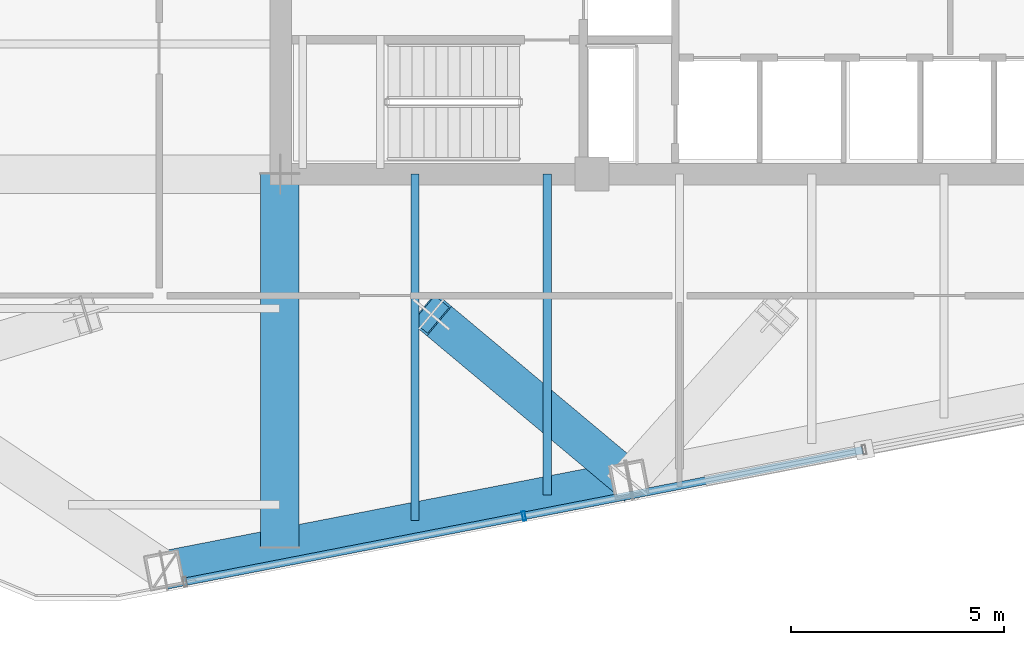
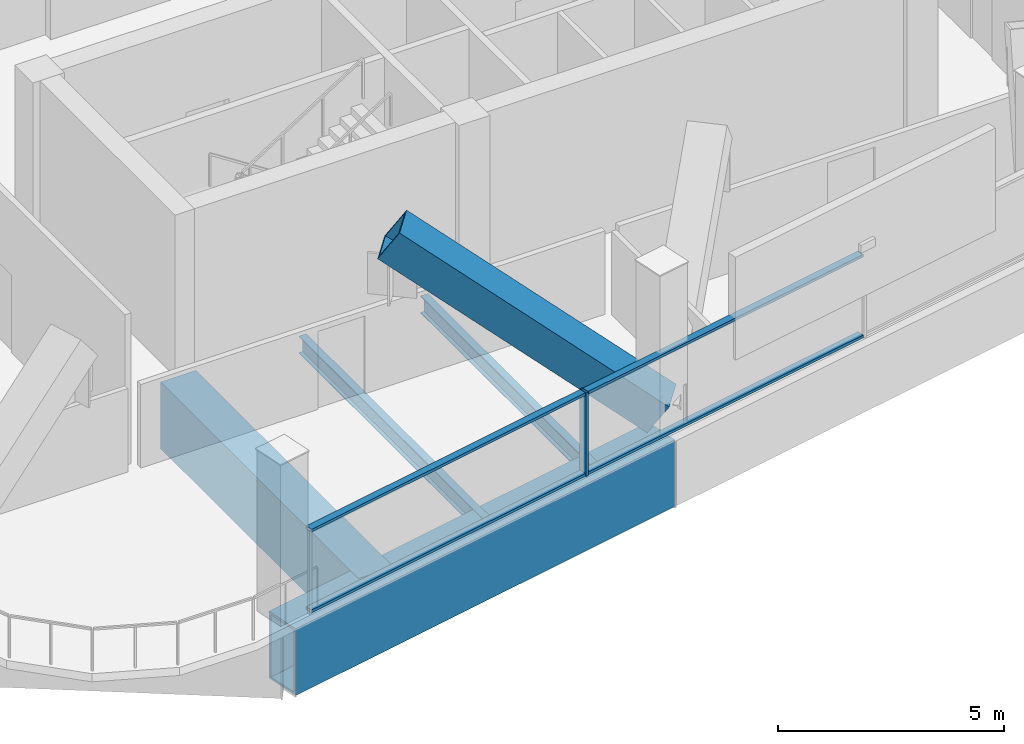
# One storey, part 3 of 26: 6 members, 4 beams, 1 element without a shape of its own.
"""IFC4 building model written with IfcOpenShell, lengths in metres."""

import ifcopenshell
import ifcopenshell.guid

model = None  # the IFC model being written
_history = None  # IfcOwnerHistory: only IFC2X3 demands one
_inside = {}  # id of a spatial element -> (the spatial element, [elements in it])
_under = {}  # id of a project, library or spatial element -> (it, [spatial elements below it])
_declared = {}  # id of a project -> (the project, [libraries it declares])
_typed = {}  # id of a type object -> (the type object, [elements of that type])
_made_of = {}  # id of a material, layer set ... -> (it, [elements and type objects made of it])


def new_model(schema):
    """Start an empty IFC model of exactly this schema.

    Asked for "IFC4X3", IfcOpenShell would pick the latest addendum, in which some entities
    have other attributes; the version numbers below select the first issue.
    IFC2X3 requires an IfcOwnerHistory on every rooted entity: one is made here for all.
    """
    global model, _history
    if schema == "IFC4X3":
        model = ifcopenshell.file(schema_version=(4, 3, 0, 0))
    else:
        model = ifcopenshell.file(schema=schema)
    _inside.clear()
    _under.clear()
    _declared.clear()
    _typed.clear()
    _made_of.clear()
    _history = None
    if model.schema == "IFC2X3":
        org = make("IfcOrganization", Name="unknown")
        user = make(
            "IfcPersonAndOrganization",
            ThePerson=make("IfcPerson", FamilyName="unknown"),
            TheOrganization=org,
        )
        app = make(
            "IfcApplication",
            ApplicationDeveloper=org,
            Version="unknown",
            ApplicationFullName="unknown",
            ApplicationIdentifier="unknown",
        )
        _history = make(
            "IfcOwnerHistory",
            OwningUser=user,
            OwningApplication=app,
            ChangeAction="ADDED",
            CreationDate=0,
        )
    return model


def make(cls, **values):
    """One entity of the class cls with the attributes given. An attribute that is None is left unset."""
    return model.create_entity(
        cls, **{name: value for name, value in values.items() if value is not None}
    )


def rooted(cls, **values):
    """An entity with a GlobalId (a new one), such as an element, a storey or a relation."""
    return make(cls, GlobalId=ifcopenshell.guid.new(), OwnerHistory=_history, **values)


def si_unit(unit_type, name, prefix=None):
    """IfcSIUnit, for example si_unit("LENGTHUNIT", "METRE", prefix="MILLI")."""
    return make("IfcSIUnit", UnitType=unit_type, Prefix=prefix, Name=name)


def assignment(units):
    """IfcUnitAssignment: the units of a project."""
    return None if units is None else make("IfcUnitAssignment", Units=units)


def point(xyz):
    """IfcCartesianPoint."""
    return None if xyz is None else make("IfcCartesianPoint", Coordinates=xyz)


def direction(xyz):
    """IfcDirection."""
    return None if xyz is None else make("IfcDirection", DirectionRatios=xyz)


def frame(location, z_axis=None, x_axis=None):
    """IfcAxis2Placement3D, a coordinate frame: its origin and axes. An axis left out is left unset."""
    return make(
        "IfcAxis2Placement3D",
        Location=point(location),
        Axis=direction(z_axis),
        RefDirection=direction(x_axis),
    )


def frame_2d(location, x_axis=None):
    """IfcAxis2Placement2D, a coordinate frame in the plane: its origin and x axis."""
    return make(
        "IfcAxis2Placement2D", Location=point(location), RefDirection=direction(x_axis)
    )


def origin():
    """The frame at (0, 0, 0) with its axes left unset."""
    return frame((0.0, 0.0, 0.0))


def origin_2d():
    """The frame at (0, 0) in the plane with its x axis left unset."""
    return frame_2d((0.0, 0.0))


def place(relative_to, where):
    """IfcLocalPlacement: puts the frame where relative to a parent placement (None: the world)."""
    return make(
        "IfcLocalPlacement", PlacementRelTo=relative_to, RelativePlacement=where
    )


def context(
    kind, dimensions, precision=None, world=None, true_north=None, identifier=None
):
    """IfcGeometricRepresentationContext, for example the 3D "Model" context."""
    return make(
        "IfcGeometricRepresentationContext",
        ContextIdentifier=identifier,
        ContextType=kind,
        CoordinateSpaceDimension=dimensions,
        Precision=precision,
        WorldCoordinateSystem=world,
        TrueNorth=true_north,
    )


def subcontext(parent, identifier, kind, view, scale=None):
    """IfcGeometricRepresentationSubContext, for example "Body" below "Model"."""
    return make(
        "IfcGeometricRepresentationSubContext",
        ContextIdentifier=identifier,
        ContextType=kind,
        ParentContext=parent,
        TargetScale=scale,
        TargetView=view,
    )


def project(units=None, contexts=None):
    """IfcProject with its units and contexts."""
    return rooted(
        "IfcProject",
        Name="project",
        RepresentationContexts=contexts,
        UnitsInContext=assignment(units),
    )


def spatial(cls, under=None, at=None, **own):
    """A site, building, storey or space (cls), placed at a placement, below another one or the project."""
    s = rooted(cls, ObjectPlacement=at, **own)
    if under is not None:
        _under.setdefault(under.id(), (under, []))[1].append(s)
    return s


def profile(cls, at=None, kind="AREA", **sizes):
    """A parametric profile (cls). Its sizes go by their IFC names, for example OverallWidth=200.0."""
    return make(cls, ProfileType=kind, Position=at, **sizes)


def hollow_rectangle(**sizes):
    """IfcRectangleHollowProfileDef."""
    return profile("IfcRectangleHollowProfileDef", **sizes)


def i_section(**sizes):
    """IfcIShapeProfileDef."""
    return profile("IfcIShapeProfileDef", **sizes)


def extrude(swept, where, along, depth):
    """IfcExtrudedAreaSolid: the profile swept, set in the frame where, extruded along a direction by depth."""
    return make(
        "IfcExtrudedAreaSolid",
        SweptArea=swept,
        Position=where,
        ExtrudedDirection=direction(along),
        Depth=depth,
    )


def shape(context_of_items, identifier, shape_type, items):
    """IfcShapeRepresentation: the items that make up one representation, for example the "Body"."""
    return make(
        "IfcShapeRepresentation",
        ContextOfItems=context_of_items,
        RepresentationIdentifier=identifier,
        RepresentationType=shape_type,
        Items=items,
    )


def material(Name=None, Category=None):
    """IfcMaterial."""
    return make("IfcMaterial", Name=Name, Category=Category)


def layer(
    of_material, thickness, ventilated=None, Name=None, Category=None, Priority=None
):
    """IfcMaterialLayer: one layer of a wall or slab, of a material (None: an air gap)."""
    return make(
        "IfcMaterialLayer",
        Material=of_material,
        LayerThickness=thickness,
        IsVentilated=ventilated,
        Name=Name,
        Category=Category,
        Priority=Priority,
    )


def layer_set(layers, Name=None):
    """IfcMaterialLayerSet."""
    return make("IfcMaterialLayerSet", MaterialLayers=layers, LayerSetName=Name)


def material_profile(
    of_material, cross_section, Name=None, Category=None, Priority=None
):
    """IfcMaterialProfile: a cross section and its material."""
    return make(
        "IfcMaterialProfile",
        Name=Name,
        Material=of_material,
        Profile=cross_section,
        Priority=Priority,
        Category=Category,
    )


def profile_set(profiles, Name=None, composite=None):
    """IfcMaterialProfileSet."""
    return make(
        "IfcMaterialProfileSet",
        Name=Name,
        MaterialProfiles=profiles,
        CompositeProfile=composite,
    )


def made_of(thing, what):
    """Note that an element or type object is made of a material, layer set ...; save() writes the relation."""
    if what is not None:
        _made_of.setdefault(what.id(), (what, []))[1].append(thing)
    return thing


def type_object(cls, material=None, **own):
    """A type object (cls), such as IfcWallType, which elements share."""
    return made_of(rooted(cls, **own), material)


def element(
    cls,
    number,
    at=None,
    inside=None,
    cuts=None,
    type_object=None,
    material=None,
    context=None,
    identifier="Body",
    shape_type=None,
    held_by="IfcProductDefinitionShape",
    body=None,
    shapes=None,
    **own,
):
    """One element of the class cls, such as IfcWall. Its Tag is "e" and its number.

    at: its placement. inside: the storey or other place that contains it. cuts: it is an
    opening in that element (IfcRelVoidsElement). A single representation is given by context,
    identifier, shape_type and body (its items); several are given by shapes. held_by: the class
    of the entity that holds the representations. save() writes the other relations.
    """
    e = rooted(cls, Tag="e%d" % number, ObjectPlacement=at, **own)
    if body is not None:
        shapes = [shape(context, identifier, shape_type, body)]
    if shapes is not None:
        e.Representation = make(held_by, Representations=shapes)
    if inside is not None:
        _inside.setdefault(inside.id(), (inside, []))[1].append(e)
    if cuts is not None:
        rooted(
            "IfcRelVoidsElement", RelatingBuildingElement=cuts, RelatedOpeningElement=e
        )
    if type_object is not None:
        _typed.setdefault(type_object.id(), (type_object, []))[1].append(e)
    return made_of(e, material)


def aggregate(whole, parts):
    """IfcRelAggregates: a whole, such as a stair, and the parts it consists of."""
    return rooted("IfcRelAggregates", RelatingObject=whole, RelatedObjects=parts)


def save(model, path):
    """Write the relations noted so far, then the file.

    IfcRelAggregates (storeys below a building ...), IfcRelContainedInSpatialStructure (elements
    in a storey), IfcRelDefinesByType, IfcRelAssociatesMaterial and IfcRelDeclares: one each for
    every whole, place, type object, material and project.
    """
    for whole, parts in _under.values():
        aggregate(whole, parts)
    for where, things in _inside.values():
        rooted(
            "IfcRelContainedInSpatialStructure",
            RelatedElements=things,
            RelatingStructure=where,
        )
    for kind, things in _typed.values():
        rooted("IfcRelDefinesByType", RelatedObjects=things, RelatingType=kind)
    for what, things in _made_of.values():
        rooted("IfcRelAssociatesMaterial", RelatedObjects=things, RelatingMaterial=what)
    for by, libraries in _declared.values():
        rooted("IfcRelDeclares", RelatingContext=by, RelatedDefinitions=libraries)
    model.write(path)


model = new_model("IFC4")

# Units and contexts
model_context = context("Model", 3, precision=1e-05, world=origin(), true_north=direction((0.0, 1.0)))
body_context = subcontext(model_context, "Body", "Model", "MODEL_VIEW")
ifc_project = project(units=[si_unit("LENGTHUNIT", "METRE"), si_unit("AREAUNIT", "SQUARE_METRE"), si_unit("VOLUMEUNIT", "CUBIC_METRE"), si_unit("PLANEANGLEUNIT", "RADIAN"), si_unit("MASSUNIT", "GRAM", prefix="KILO")], contexts=[model_context])

# Site, building, storey
site_placement = place(None, origin())
site = spatial("IfcSite", under=ifc_project, at=site_placement, CompositionType="ELEMENT")
building_placement = place(site_placement, origin())
building = spatial("IfcBuilding", under=site, at=building_placement, Name="Qhalaya Broadcast Tower", CompositionType="ELEMENT")
storey_placement = place(building_placement, frame((0.0, 0.0, 140.25)))
storey = spatial("IfcBuildingStorey", under=building, at=storey_placement, Name="L41", CompositionType="ELEMENT", Elevation=140.25)

# Beams
ifc_material_1 = material(Name="Structural Steel ASTM A572 Grade 50", Category="steel")
ifc_material_profile_1 = material_profile(ifc_material_1, hollow_rectangle(XDim=0.89990234375, YDim=1.800048828125, WallThickness=0.06005859375, at=origin_2d()), Name="BOX 900x1800x60")
ifc_profile_set_1 = profile_set([ifc_material_profile_1], Name="Structural Steel ASTM A572 Grade 50")
beam_type_1 = type_object("IfcBeamType", Name="Block Cantilever Transfer Box Girder TG1", PredefinedType="USERDEFINED", material=ifc_profile_set_1)
beam_1_placement = place(storey_placement, frame((-12.07958984375, -18.036376953125, -1.1201171875), z_axis=(0.98162878008, 0.190800781233, 0.0), x_axis=(-0.190800781233, 0.98162878008, 0.0)))
element("IfcBeam", 1, at=beam_1_placement, inside=storey, type_object=beam_type_1, Name="L41 TG1 L41-SPR-01", ObjectType="GIRDER", PredefinedType="USERDEFINED", context=body_context, shape_type="SweptSolid", body=[
    extrude(hollow_rectangle(XDim=0.89990234375, YDim=1.800048828125, WallThickness=0.06005859375, at=origin_2d()), origin(), (0.0, 0.0, 1.0), 11.10009765625),
])
beam_2_placement = place(storey_placement, frame((-9.375, -17.490234375, -1.1201171875), z_axis=(0.0, 1.0, 0.0), x_axis=(-1.0, 0.0, 0.0)))
element("IfcBeam", 2, at=beam_2_placement, inside=storey, type_object=beam_type_1, Name="L41 TG1 L41-PGXS1-1", ObjectType="GIRDER", PredefinedType="USERDEFINED", context=body_context, shape_type="SweptSolid", body=[
    extrude(hollow_rectangle(XDim=0.89990234375, YDim=1.800048828125, WallThickness=0.06005859375, at=origin_2d()), origin(), (0.0, 0.0, 1.0), 8.740234375),
])
ifc_material_2 = material(Name="Structural Steel ASTM A992 Grade 50", Category="steel")
ifc_material_profile_2 = material_profile(ifc_material_2, i_section(OverallWidth=0.19189453125, OverallDepth=0.462890625, WebThickness=0.010498046875, FlangeThickness=0.017578125, at=origin_2d()), Name="W18X60")
ifc_profile_set_2 = profile_set([ifc_material_profile_2], Name="Structural Steel ASTM A992 Grade 50")
beam_type_2 = type_object("IfcBeamType", Name="Composite Floor Joist J03", PredefinedType="JOIST", material=ifc_profile_set_2)
beam_3_placement = place(storey_placement, frame((-6.199951171875, -16.873046875, -0.451416015625), z_axis=(0.0, 1.0, 0.0), x_axis=(-1.0, 0.0, 0.0)))
element("IfcBeam", 3, at=beam_3_placement, inside=storey, type_object=beam_type_2, Name="L41 J03 L41-JNS1-1", PredefinedType="JOIST", context=body_context, shape_type="SweptSolid", body=[
    extrude(i_section(OverallWidth=0.19189453125, OverallDepth=0.462890625, WebThickness=0.010498046875, FlangeThickness=0.017578125, at=origin_2d()), origin(), (0.0, 0.0, 1.0), 8.123046875),
])
beam_4_placement = place(storey_placement, frame((-3.10009765625, -16.2705078125, -0.451416015625), z_axis=(0.0, 1.0, 0.0), x_axis=(-1.0, 0.0, 0.0)))
element("IfcBeam", 4, at=beam_4_placement, inside=storey, type_object=beam_type_2, Name="L41 J03 L41-JNS2-1", PredefinedType="JOIST", context=body_context, shape_type="SweptSolid", body=[
    extrude(i_section(OverallWidth=0.19189453125, OverallDepth=0.462890625, WebThickness=0.010498046875, FlangeThickness=0.017578125, at=origin_2d()), origin(), (0.0, 0.0, 1.0), 7.5205078125),
])

# Member
ifc_material_profile_3 = material_profile(ifc_material_1, hollow_rectangle(XDim=0.89990234375, YDim=0.89990234375, WallThickness=0.054931640625, at=origin_2d()), Name="BOX 900x900x55")
ifc_profile_set_3 = profile_set([ifc_material_profile_3], Name="Structural Steel ASTM A572 Grade 50")
member_type_1 = type_object("IfcMemberType", Name="Heavy Exoskeleton Transfer Strut RK1", PredefinedType="BRACE", material=ifc_profile_set_3)
member_1_placement = place(storey_placement, frame((-1.183349609375, -15.91845703125, 0.38623046875), z_axis=(-0.641435418897, 0.536533438532, 0.548354331361), x_axis=(-0.641597543262, -0.767041454213, 0.0)))
element("IfcMember", 5, at=member_1_placement, inside=storey, type_object=member_type_1, Name="L41 Inclined Exoskeleton Transfer Strut 02", PredefinedType="BRACE", context=body_context, shape_type="SweptSolid", body=[
    extrude(hollow_rectangle(XDim=0.89990234375, YDim=0.89990234375, WallThickness=0.054931640625, at=origin_2d()), origin(), (0.0, 0.0, 1.0), 7.228759765625),
])

# Curtain wall, members
ifc_material_3 = material(Name="Fired Architectural Terracotta", Category="masonry")
ifc_layer = layer(ifc_material_3, 0.219970703125, Name="Fired Architectural Terracotta")
ifc_layer_set = layer_set([ifc_layer], Name="Fired Architectural Terracotta")
curtain_wall_type = type_object("IfcCurtainWallType", Name="Block-Cap Unitised Terracotta Spandrel Wall CW-07", PredefinedType="NOTDEFINED", material=ifc_layer_set)
curtain_wall_placement = place(storey_placement, origin())
curtain_wall = element("IfcCurtainWall", 6, at=curtain_wall_placement, inside=storey, type_object=curtain_wall_type, Name="L41 Unitised Curtain Wall L41-CW-S", PredefinedType="NOTDEFINED")
ifc_material_4 = material(Name="Anodised Aluminium 6063-T6", Category="aluminium")
ifc_material_profile_4 = material_profile(ifc_material_4, hollow_rectangle(XDim=0.074951171875, YDim=0.219970703125, WallThickness=0.00390625, at=origin_2d()), Name="ALU-MUL 75x220x4")
ifc_profile_set_4 = profile_set([ifc_material_profile_4], Name="Anodised Aluminium 6063-T6")
member_type_2 = type_object("IfcMemberType", Name="Unitised Curtain-Wall Mullion M01", PredefinedType="MULLION", material=ifc_profile_set_4)
member_2_placement = place(storey_placement, frame((-3.648193359375, -16.76416015625, 0.0), z_axis=(0.0, 0.0, 1.0), x_axis=(-0.981626973255, -0.190810076719, 0.0)))
member_2 = element("IfcMember", 7, at=member_2_placement, type_object=member_type_2, Name="CW-07 mullion 4", PredefinedType="MULLION", context=body_context, shape_type="SweptSolid", body=[
    extrude(hollow_rectangle(XDim=0.074951171875, YDim=0.219970703125, WallThickness=0.00390625, at=origin_2d()), origin(), (0.0, 0.0, 1.0), 2.25),
])
ifc_material_profile_5 = material_profile(ifc_material_4, hollow_rectangle(XDim=0.074951171875, YDim=0.179931640625, WallThickness=0.00390625, at=origin_2d()), Name="ALU-TRN 75x180x4")
ifc_profile_set_5 = profile_set([ifc_material_profile_5], Name="Anodised Aluminium 6063-T6")
member_type_3 = type_object("IfcMemberType", Name="Unitised Curtain-Wall Transom T01", PredefinedType="USERDEFINED", material=ifc_profile_set_5)
member_3_placement = place(storey_placement, frame((4.29638671875, -15.219970703125, 0.03759765625), z_axis=(-0.981628163132, -0.190803955268, 0.0), x_axis=(0.0, 0.0, 1.0)))
member_3 = element("IfcMember", 8, at=member_3_placement, type_object=member_type_3, Name="CW-07 transom 3.1", ObjectType="TRANSOM", PredefinedType="USERDEFINED", context=body_context, shape_type="SweptSolid", body=[
    extrude(hollow_rectangle(XDim=0.074951171875, YDim=0.179931640625, WallThickness=0.00390625, at=origin_2d()), origin(), (0.0, 0.0, 1.0), 8.055908203125),
])
member_4_placement = place(storey_placement, frame((4.29638671875, -15.219970703125, 2.21240234375), z_axis=(-0.981628163132, -0.190803955268, 0.0), x_axis=(0.0, 0.0, 1.0)))
member_4 = element("IfcMember", 9, at=member_4_placement, type_object=member_type_3, Name="CW-07 transom 3.2", ObjectType="TRANSOM", PredefinedType="USERDEFINED", context=body_context, shape_type="SweptSolid", body=[
    extrude(hollow_rectangle(XDim=0.074951171875, YDim=0.179931640625, WallThickness=0.00390625, at=origin_2d()), origin(), (0.0, 0.0, 1.0), 8.055908203125),
])
member_5_placement = place(storey_placement, frame((-3.68505859375, -16.771484375, 0.03759765625), z_axis=(-0.981632974429, -0.190779200948, 0.0), x_axis=(0.0, 0.0, 1.0)))
member_5 = element("IfcMember", 10, at=member_5_placement, type_object=member_type_3, Name="CW-07 transom 4.1", ObjectType="TRANSOM", PredefinedType="USERDEFINED", context=body_context, shape_type="SweptSolid", body=[
    extrude(hollow_rectangle(XDim=0.074951171875, YDim=0.179931640625, WallThickness=0.00390625, at=origin_2d()), origin(), (0.0, 0.0, 1.0), 8.0185546875),
])
member_6_placement = place(storey_placement, frame((-3.68505859375, -16.771484375, 2.21240234375), z_axis=(-0.981632974429, -0.190779200948, 0.0), x_axis=(0.0, 0.0, 1.0)))
member_6 = element("IfcMember", 11, at=member_6_placement, type_object=member_type_3, Name="CW-07 transom 4.2", ObjectType="TRANSOM", PredefinedType="USERDEFINED", context=body_context, shape_type="SweptSolid", body=[
    extrude(hollow_rectangle(XDim=0.074951171875, YDim=0.179931640625, WallThickness=0.00390625, at=origin_2d()), origin(), (0.0, 0.0, 1.0), 8.0185546875),
])
aggregate(curtain_wall, [member_2, member_3, member_4, member_5, member_6])

save(model, "model.ifc")
